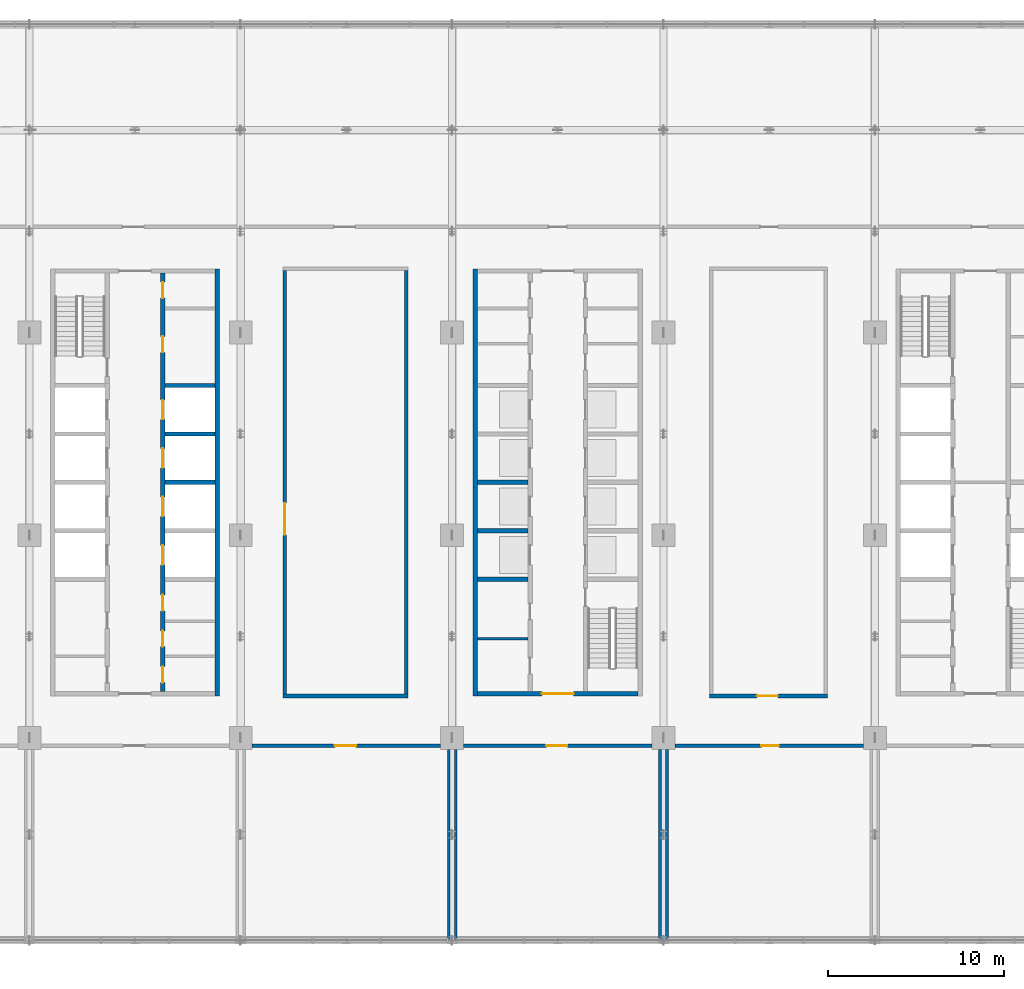
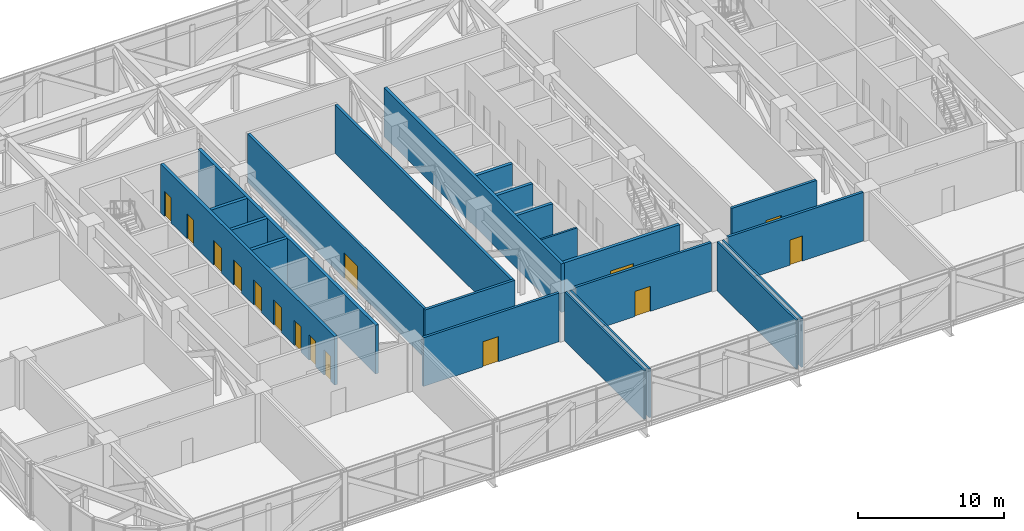
# One storey, part 17 of 30: 22 walls, 15 doors, 15 openings.
"""IFC4 building model written with IfcOpenShell, lengths in metres."""

from ifc_helpers import new_model, si_unit, direction, frame, frame_2d, origin, place, context, subcontext, project, spatial, rectangle, extrude, material, layer, layer_set, type_object, element, fill, save


model = new_model("IFC4")

# Units and contexts
model_context = context("Model", 3, precision=1e-05, world=origin(), true_north=direction((0.0, 1.0)))
body_context = subcontext(model_context, "Body", "Model", "MODEL_VIEW")
ifc_project = project(units=[si_unit("LENGTHUNIT", "METRE"), si_unit("AREAUNIT", "SQUARE_METRE"), si_unit("VOLUMEUNIT", "CUBIC_METRE"), si_unit("PLANEANGLEUNIT", "RADIAN"), si_unit("MASSUNIT", "GRAM", prefix="KILO")], contexts=[model_context])

# Site, building, storey
site_placement = place(None, origin())
site = spatial("IfcSite", under=ifc_project, at=site_placement, CompositionType="ELEMENT")
building_placement = place(site_placement, origin())
building = spatial("IfcBuilding", under=site, at=building_placement, Name="Mahtab Terrace Research Tower", CompositionType="ELEMENT")
storey_placement = place(building_placement, frame((0.0, 0.0, 154.800048828125)))
storey = spatial("IfcBuildingStorey", under=building, at=storey_placement, Name="L36", CompositionType="ELEMENT", Elevation=154.800048828125)

# Walls
ifc_material_1 = material(Name="Gypsum board partition")
ifc_layer_1 = layer(ifc_material_1, 0.14990234375)
ifc_layer_set_1 = layer_set([ifc_layer_1], Name="Core partition 150")
wall_type_1 = type_object("IfcWallType", Name="Core partition 150", PredefinedType="PARTITIONING", material=ifc_layer_set_1)
wall_1_placement = place(storey_placement, frame((-4.550048828125, -5.875, 0.0), z_axis=(0.0, 0.0, 1.0), x_axis=(1.0, 0.0, 0.0)))
element("IfcWall", 1, at=wall_1_placement, inside=storey, type_object=wall_type_1, Name="Core wall B pWS-888", PredefinedType="PARTITIONING", context=body_context, shape_type="SweptSolid", body=[
    extrude(rectangle(XDim=2.85009765625, YDim=0.14990234375, at=frame_2d((1.425048828125, 0.0))), origin(), (0.0, 0.0, 1.0), 4.06005859375),
])
ifc_material_2 = material(Name="Concrete C70/85", Category="concrete")
ifc_layer_2 = layer(ifc_material_2, 0.25)
ifc_layer_set_2 = layer_set([ifc_layer_2], Name="Core wall 250")
wall_type_2 = type_object("IfcWallType", Name="Core wall 250", PredefinedType="SOLIDWALL", material=ifc_layer_set_2)
wall_2_placement = place(storey_placement, frame((-19.324951171875, -9.125, 0.0), z_axis=(0.0, 0.0, 1.0), x_axis=(0.0, 1.0, 0.0)))
element("IfcWall", 2, at=wall_2_placement, inside=storey, type_object=wall_type_2, Name="Core wall A outerE", PredefinedType="SOLIDWALL", context=body_context, shape_type="SweptSolid", body=[
    extrude(rectangle(XDim=24.25, YDim=0.25, at=frame_2d((12.125, 0.0))), origin(), (0.0, 0.0, 1.0), 4.06005859375),
])

# Wall, openings, doors
wall_3_placement = place(storey_placement, frame((-22.425048828125, 14.875, 0.0), z_axis=(0.0, 0.0, 1.0), x_axis=(0.0, -1.0, 0.0)))
wall_3 = element("IfcWall", 3, at=wall_3_placement, inside=storey, type_object=wall_type_2, Name="Core wall A innerESLN", PredefinedType="SOLIDWALL", context=body_context, shape_type="SweptSolid", body=[
    extrude(rectangle(XDim=23.75, YDim=0.25, at=frame_2d((11.875, 0.0))), origin(), (0.0, 0.0, 1.0), 4.06005859375),
])
opening_1_placement = place(wall_3_placement, frame((15.449951171875, 0.0, 0.0)))
opening_1 = element("IfcOpeningElement", 4, at=opening_1_placement, cuts=wall_3, Name="Opening LD05-L36", PredefinedType="OPENING", context=body_context, shape_type="SweptSolid", body=[
    extrude(rectangle(XDim=1.10009765625, YDim=2.10009765625, at=frame_2d((0.550048828125, 1.050048828125))), frame((0.0, 0.135009765625, 0.0), z_axis=(0.0, -1.0, 0.0), x_axis=(1.0, 0.0, 0.0)), (0.0, 0.0, 1.0), 0.27001953125),
])
opening_2_placement = place(wall_3_placement, frame((12.699951171875, 0.0, 0.0)))
opening_2 = element("IfcOpeningElement", 5, at=opening_2_placement, cuts=wall_3, Name="Opening LD06-L36", PredefinedType="OPENING", context=body_context, shape_type="SweptSolid", body=[
    extrude(rectangle(XDim=1.10009765625, YDim=2.10009765625, at=frame_2d((0.550048828125, 1.050048828125))), frame((0.0, 0.135009765625, 0.0), z_axis=(0.0, -1.0, 0.0), x_axis=(1.0, 0.0, 0.0)), (0.0, 0.0, 1.0), 0.27001953125),
])
opening_3_placement = place(wall_3_placement, frame((9.949951171875, 0.0, 0.0)))
opening_3 = element("IfcOpeningElement", 6, at=opening_3_placement, cuts=wall_3, Name="Opening LD07-L36", PredefinedType="OPENING", context=body_context, shape_type="SweptSolid", body=[
    extrude(rectangle(XDim=1.10009765625, YDim=2.10009765625, at=frame_2d((0.550048828125, 1.050048828125))), frame((0.0, 0.135009765625, 0.0), z_axis=(0.0, -1.0, 0.0), x_axis=(1.0, 0.0, 0.0)), (0.0, 0.0, 1.0), 0.27001953125),
])
opening_4_placement = place(wall_3_placement, frame((7.199951171875, 0.0, 0.0)))
opening_4 = element("IfcOpeningElement", 7, at=opening_4_placement, cuts=wall_3, Name="Opening LD08-L36", PredefinedType="OPENING", context=body_context, shape_type="SweptSolid", body=[
    extrude(rectangle(XDim=1.10009765625, YDim=2.10009765625, at=frame_2d((0.550048828125, 1.050048828125))), frame((0.0, 0.135009765625, 0.0), z_axis=(0.0, -1.0, 0.0), x_axis=(1.0, 0.0, 0.0)), (0.0, 0.0, 1.0), 0.27001953125),
])
opening_5_placement = place(wall_3_placement, frame((22.33740234375, 0.0, 0.0)))
opening_5 = element("IfcOpeningElement", 8, at=opening_5_placement, cuts=wall_3, Name="Opening A-R3", PredefinedType="OPENING", context=body_context, shape_type="SweptSolid", body=[
    extrude(rectangle(XDim=0.89990234375, YDim=2.10009765625, at=frame_2d((0.449951171875, 1.050048828125))), frame((0.0, 0.135009765625, 0.0), z_axis=(0.0, -1.0, 0.0), x_axis=(1.0, 0.0, 0.0)), (0.0, 0.0, 1.0), 0.27001953125),
])
opening_6_placement = place(wall_3_placement, frame((20.300048828125, 0.0, 0.0)))
opening_6 = element("IfcOpeningElement", 9, at=opening_6_placement, cuts=wall_3, Name="Opening A-R4", PredefinedType="OPENING", context=body_context, shape_type="SweptSolid", body=[
    extrude(rectangle(XDim=0.89990234375, YDim=2.10009765625, at=frame_2d((0.449951171875, 1.050048828125))), frame((0.0, 0.135009765625, 0.0), z_axis=(0.0, -1.0, 0.0), x_axis=(1.0, 0.0, 0.0)), (0.0, 0.0, 1.0), 0.27001953125),
])
opening_7_placement = place(wall_3_placement, frame((18.262451171875, 0.0, 0.0)))
opening_7 = element("IfcOpeningElement", 10, at=opening_7_placement, cuts=wall_3, Name="Opening A-R5", PredefinedType="OPENING", context=body_context, shape_type="SweptSolid", body=[
    extrude(rectangle(XDim=0.89990234375, YDim=2.10009765625, at=frame_2d((0.449951171875, 1.050048828125))), frame((0.0, 0.135009765625, 0.0), z_axis=(0.0, -1.0, 0.0), x_axis=(1.0, 0.0, 0.0)), (0.0, 0.0, 1.0), 0.27001953125),
])
opening_8_placement = place(wall_3_placement, frame((3.58740234375, 0.0, 0.0)))
opening_8 = element("IfcOpeningElement", 11, at=opening_8_placement, cuts=wall_3, Name="Opening A-R6", PredefinedType="OPENING", context=body_context, shape_type="SweptSolid", body=[
    extrude(rectangle(XDim=0.89990234375, YDim=2.10009765625, at=frame_2d((0.449951171875, 1.050048828125))), frame((0.0, 0.135009765625, 0.0), z_axis=(0.0, -1.0, 0.0), x_axis=(1.0, 0.0, 0.0)), (0.0, 0.0, 1.0), 0.27001953125),
])
opening_9_placement = place(wall_3_placement, frame((0.512451171875, 0.0, 0.0)))
opening_9 = element("IfcOpeningElement", 12, at=opening_9_placement, cuts=wall_3, Name="Opening A-R7", PredefinedType="OPENING", context=body_context, shape_type="SweptSolid", body=[
    extrude(rectangle(XDim=0.89990234375, YDim=2.10009765625, at=frame_2d((0.449951171875, 1.050048828125))), frame((0.0, 0.135009765625, 0.0), z_axis=(0.0, -1.0, 0.0), x_axis=(1.0, 0.0, 0.0)), (0.0, 0.0, 1.0), 0.27001953125),
])
ifc_material_3 = material(Name="Stainless steel AISI 304", Category="steel")
door_type_1 = type_object("IfcDoorType", Name="Landing door 1100x2100", OperationType="DOUBLE_DOOR_SLIDING", PredefinedType="DOOR", material=ifc_material_3)
door_1_placement = place(opening_1_placement, origin())
door_1 = element("IfcDoor", 13, at=door_1_placement, inside=storey, type_object=door_type_1, Name="Landing door LR5 L36", OperationType="DOUBLE_DOOR_SLIDING", OverallHeight=2.10009765625, OverallWidth=1.10009765625, PredefinedType="DOOR", context=body_context, shape_type="SweptSolid", body=[
    extrude(rectangle(XDim=1.10009765625, YDim=2.10009765625, at=frame_2d((0.550048828125, 1.050048828125))), frame((0.0, 0.02490234375, 0.0), z_axis=(0.0, -1.0, 0.0), x_axis=(1.0, 0.0, 0.0)), (0.0, 0.0, 1.0), 0.050048828125),
])
fill(opening_1, door_1)
door_2_placement = place(opening_2_placement, origin())
door_2 = element("IfcDoor", 14, at=door_2_placement, inside=storey, type_object=door_type_1, Name="Landing door LR6 L36", OperationType="DOUBLE_DOOR_SLIDING", OverallHeight=2.10009765625, OverallWidth=1.10009765625, PredefinedType="DOOR", context=body_context, shape_type="SweptSolid", body=[
    extrude(rectangle(XDim=1.10009765625, YDim=2.10009765625, at=frame_2d((0.550048828125, 1.050048828125))), frame((0.0, 0.02490234375, 0.0), z_axis=(0.0, -1.0, 0.0), x_axis=(1.0, 0.0, 0.0)), (0.0, 0.0, 1.0), 0.050048828125),
])
fill(opening_2, door_2)
door_3_placement = place(opening_3_placement, origin())
door_3 = element("IfcDoor", 15, at=door_3_placement, inside=storey, type_object=door_type_1, Name="Landing door SH1 L36", OperationType="DOUBLE_DOOR_SLIDING", OverallHeight=2.10009765625, OverallWidth=1.10009765625, PredefinedType="DOOR", context=body_context, shape_type="SweptSolid", body=[
    extrude(rectangle(XDim=1.10009765625, YDim=2.10009765625, at=frame_2d((0.550048828125, 1.050048828125))), frame((0.0, 0.02490234375, 0.0), z_axis=(0.0, -1.0, 0.0), x_axis=(1.0, 0.0, 0.0)), (0.0, 0.0, 1.0), 0.050048828125),
])
fill(opening_3, door_3)
door_4_placement = place(opening_4_placement, origin())
door_4 = element("IfcDoor", 16, at=door_4_placement, inside=storey, type_object=door_type_1, Name="Landing door SH2 L36", OperationType="DOUBLE_DOOR_SLIDING", OverallHeight=2.10009765625, OverallWidth=1.10009765625, PredefinedType="DOOR", context=body_context, shape_type="SweptSolid", body=[
    extrude(rectangle(XDim=1.10009765625, YDim=2.10009765625, at=frame_2d((0.550048828125, 1.050048828125))), frame((0.0, 0.02490234375, 0.0), z_axis=(0.0, -1.0, 0.0), x_axis=(1.0, 0.0, 0.0)), (0.0, 0.0, 1.0), 0.050048828125),
])
fill(opening_4, door_4)
ifc_material_4 = material(Name="Steel fire door", Category="steel")
door_type_2 = type_object("IfcDoorType", Name="Room door 900x2100 1 HR", OperationType="NOTDEFINED", PredefinedType="DOOR", material=ifc_material_4)
door_5_placement = place(opening_5_placement, origin())
door_5 = element("IfcDoor", 17, at=door_5_placement, inside=storey, type_object=door_type_2, Name="Comms riser room door", OperationType="SINGLE_SWING_LEFT", OverallHeight=2.10009765625, OverallWidth=0.89990234375, PredefinedType="DOOR", context=body_context, shape_type="SweptSolid", body=[
    extrude(rectangle(XDim=0.89990234375, YDim=2.10009765625, at=frame_2d((0.449951171875, 1.050048828125))), frame((0.0, 0.02490234375, 0.0), z_axis=(0.0, -1.0, 0.0), x_axis=(1.0, 0.0, 0.0)), (0.0, 0.0, 1.0), 0.050048828125),
])
fill(opening_5, door_5)
door_6_placement = place(opening_6_placement, origin())
door_6 = element("IfcDoor", 18, at=door_6_placement, inside=storey, type_object=door_type_2, Name="Pantry door", OperationType="SINGLE_SWING_RIGHT", OverallHeight=2.10009765625, OverallWidth=0.89990234375, PredefinedType="DOOR", context=body_context, shape_type="SweptSolid", body=[
    extrude(rectangle(XDim=0.89990234375, YDim=2.10009765625, at=frame_2d((0.449951171875, 1.050048828125))), frame((0.0, 0.02490234375, 0.0), z_axis=(0.0, -1.0, 0.0), x_axis=(1.0, 0.0, 0.0)), (0.0, 0.0, 1.0), 0.050048828125),
])
fill(opening_6, door_6)
door_7_placement = place(opening_7_placement, origin())
door_7 = element("IfcDoor", 19, at=door_7_placement, inside=storey, type_object=door_type_2, Name="Cleaners store door", OperationType="SINGLE_SWING_LEFT", OverallHeight=2.10009765625, OverallWidth=0.89990234375, PredefinedType="DOOR", context=body_context, shape_type="SweptSolid", body=[
    extrude(rectangle(XDim=0.89990234375, YDim=2.10009765625, at=frame_2d((0.449951171875, 1.050048828125))), frame((0.0, 0.02490234375, 0.0), z_axis=(0.0, -1.0, 0.0), x_axis=(1.0, 0.0, 0.0)), (0.0, 0.0, 1.0), 0.050048828125),
])
fill(opening_7, door_7)
door_8_placement = place(opening_8_placement, origin())
door_8 = element("IfcDoor", 20, at=door_8_placement, inside=storey, type_object=door_type_2, Name="IT equipment room door", OperationType="SINGLE_SWING_RIGHT", OverallHeight=2.10009765625, OverallWidth=0.89990234375, PredefinedType="DOOR", context=body_context, shape_type="SweptSolid", body=[
    extrude(rectangle(XDim=0.89990234375, YDim=2.10009765625, at=frame_2d((0.449951171875, 1.050048828125))), frame((0.0, 0.02490234375, 0.0), z_axis=(0.0, -1.0, 0.0), x_axis=(1.0, 0.0, 0.0)), (0.0, 0.0, 1.0), 0.050048828125),
])
fill(opening_8, door_8)
door_9_placement = place(opening_9_placement, origin())
door_9 = element("IfcDoor", 21, at=door_9_placement, inside=storey, type_object=door_type_2, Name="Electrical riser room door", OperationType="SINGLE_SWING_LEFT", OverallHeight=2.10009765625, OverallWidth=0.89990234375, PredefinedType="DOOR", context=body_context, shape_type="SweptSolid", body=[
    extrude(rectangle(XDim=0.89990234375, YDim=2.10009765625, at=frame_2d((0.449951171875, 1.050048828125))), frame((0.0, 0.02490234375, 0.0), z_axis=(0.0, -1.0, 0.0), x_axis=(1.0, 0.0, 0.0)), (0.0, 0.0, 1.0), 0.050048828125),
])
fill(opening_9, door_9)

# Walls
for number, where, z_axis, x_axis, name in (
    (22, (-22.300048828125, 3.0, 0.0), (0.0, 0.0, 1.0), (1.0, 0.0, 0.0), "Core wall A divE2"),
    (23, (-22.300048828125, 5.75, 0.0), (0.0, 0.0, 1.0), (1.0, 0.0, 0.0), "Core wall A divE3"),
    (24, (-22.300048828125, 8.5, 0.0), (0.0, 0.0, 1.0), (1.0, 0.0, 0.0), "Core wall A divE4"),
):
    element("IfcWall", number, at=place(storey_placement, frame(where, z_axis=z_axis, x_axis=x_axis)), inside=storey, type_object=wall_type_2, Name=name, PredefinedType="SOLIDWALL", context=body_context, shape_type="SweptSolid", body=[
        extrude(rectangle(XDim=2.85009765625, YDim=0.25, at=frame_2d((1.425048828125, 0.0))), origin(), (0.0, 0.0, 1.0), 4.06005859375),
    ])
wall_4_placement = place(storey_placement, frame((-4.675048828125, 15.125, 0.0), z_axis=(0.0, 0.0, 1.0), x_axis=(0.0, -1.0, 0.0)))
element("IfcWall", 25, at=wall_4_placement, inside=storey, type_object=wall_type_2, Name="Core wall B outerW", PredefinedType="SOLIDWALL", context=body_context, shape_type="SweptSolid", body=[
    extrude(rectangle(XDim=24.25, YDim=0.25, at=frame_2d((12.125, 0.0))), origin(), (0.0, 0.0, 1.0), 4.06005859375),
])

# Wall, opening, door
wall_5_placement = place(storey_placement, frame((4.550048828125, -9.0, 0.0), z_axis=(0.0, 0.0, 1.0), x_axis=(-1.0, 0.0, 0.0)))
wall_5 = element("IfcWall", 26, at=wall_5_placement, inside=storey, type_object=wall_type_2, Name="Core wall B endS", PredefinedType="SOLIDWALL", context=body_context, shape_type="SweptSolid", body=[
    extrude(rectangle(XDim=9.10009765625, YDim=0.25, at=frame_2d((4.550048828125, 0.0))), origin(), (0.0, 0.0, 1.0), 4.06005859375),
])
opening_10_placement = place(wall_5_placement, frame((3.64990234375, 0.0, 0.0)))
opening_10 = element("IfcOpeningElement", 27, at=opening_10_placement, cuts=wall_5, Name="Opening B-S1", PredefinedType="OPENING", context=body_context, shape_type="SweptSolid", body=[
    extrude(rectangle(XDim=1.800048828125, YDim=2.10009765625, at=frame_2d((0.89990234375, 1.050048828125))), frame((0.0, 0.135009765625, 0.0), z_axis=(0.0, -1.0, 0.0), x_axis=(1.0, 0.0, 0.0)), (0.0, 0.0, 1.0), 0.27001953125),
])
door_type_3 = type_object("IfcDoorType", Name="Lobby double door 1800x2100 1 HR", OperationType="DOUBLE_DOOR_SINGLE_SWING", PredefinedType="DOOR", material=ifc_material_4)
door_10_placement = place(opening_10_placement, origin())
door_10 = element("IfcDoor", 28, at=door_10_placement, inside=storey, type_object=door_type_3, Name="Core entrance door B S", OperationType="DOUBLE_DOOR_SINGLE_SWING", OverallHeight=2.10009765625, OverallWidth=1.800048828125, PredefinedType="DOOR", context=body_context, shape_type="SweptSolid", body=[
    extrude(rectangle(XDim=1.800048828125, YDim=2.10009765625, at=frame_2d((0.89990234375, 1.050048828125))), frame((0.0, 0.02490234375, 0.0), z_axis=(0.0, -1.0, 0.0), x_axis=(1.0, 0.0, 0.0)), (0.0, 0.0, 1.0), 0.050048828125),
])
fill(opening_10, door_10)

# Walls
for number, where, z_axis, x_axis, name in (
    (29, (-4.550048828125, -2.5, 0.0), (0.0, 0.0, 1.0), (1.0, 0.0, 0.0), "Core wall B divW0"),
    (30, (-4.550048828125, 0.25, 0.0), (0.0, 0.0, 1.0), (1.0, 0.0, 0.0), "Core wall B divW1"),
    (31, (-4.550048828125, 3.0, 0.0), (0.0, 0.0, 1.0), (1.0, 0.0, 0.0), "Core wall B divW2"),
):
    element("IfcWall", number, at=place(storey_placement, frame(where, z_axis=z_axis, x_axis=x_axis)), inside=storey, type_object=wall_type_2, Name=name, PredefinedType="SOLIDWALL", context=body_context, shape_type="SweptSolid", body=[
        extrude(rectangle(XDim=2.85009765625, YDim=0.25, at=frame_2d((1.425048828125, 0.0))), origin(), (0.0, 0.0, 1.0), 4.06005859375),
    ])

# Wall, opening, door
ifc_material_5 = material(Name="Gypsum board corridor wall on steel studs", Category="steel")
ifc_layer_3 = layer(ifc_material_5, 0.199951171875)
ifc_layer_set_3 = layer_set([ifc_layer_3], Name="WALL CORRIDOR 200")
wall_type_3 = type_object("IfcWallType", Name="WALL CORRIDOR 200", PredefinedType="PARTITIONING", material=ifc_layer_set_3)
wall_6_placement = place(storey_placement, frame((-17.35009765625, -11.949951171875, 0.0), z_axis=(0.0, 0.0, 1.0), x_axis=(1.0, 0.0, 0.0)))
wall_6 = element("IfcWall", 32, at=wall_6_placement, inside=storey, type_object=wall_type_3, Name="L36-W004", PredefinedType="PARTITIONING", context=body_context, shape_type="SweptSolid", body=[
    extrude(rectangle(XDim=10.7001953125, YDim=0.199951171875, at=frame_2d((5.35009765625, 0.0))), origin(), (0.0, 0.0, 1.0), 4.06005859375),
])
opening_11_placement = place(wall_6_placement, frame((4.699951171875, 0.0, 0.0)))
opening_11 = element("IfcOpeningElement", 33, at=opening_11_placement, cuts=wall_6, Name="Opening L36-104", PredefinedType="OPENING", context=body_context, shape_type="SweptSolid", body=[
    extrude(rectangle(XDim=1.199951171875, YDim=2.10009765625, at=frame_2d((0.60009765625, 1.050048828125))), frame((0.0, 0.10986328125, 0.0), z_axis=(0.0, -1.0, 0.0), x_axis=(1.0, 0.0, 0.0)), (0.0, 0.0, 1.0), 0.219970703125),
])
ifc_material_6 = material(Name="Timber door leaf in steel frame", Category="steel")
door_type_4 = type_object("IfcDoorType", Name="DOOR 1200X2100 FD30S", OperationType="SINGLE_SWING_LEFT", PredefinedType="DOOR", material=ifc_material_6)
door_11_placement = place(opening_11_placement, origin())
door_11 = element("IfcDoor", 34, at=door_11_placement, inside=storey, type_object=door_type_4, Name="Door L36-104", OperationType="SINGLE_SWING_RIGHT", OverallHeight=2.10009765625, OverallWidth=1.199951171875, PredefinedType="DOOR", context=body_context, shape_type="SweptSolid", body=[
    extrude(rectangle(XDim=1.199951171875, YDim=2.10009765625, at=frame_2d((0.60009765625, 1.050048828125))), frame((0.0, 0.02490234375, 0.0), z_axis=(0.0, -1.0, 0.0), x_axis=(1.0, 0.0, 0.0)), (0.0, 0.0, 1.0), 0.050048828125),
])
fill(opening_11, door_11)

wall_7_placement = place(storey_placement, frame((-5.35009765625, -11.949951171875, 0.0), z_axis=(0.0, 0.0, 1.0), x_axis=(1.0, 0.0, 0.0)))
wall_7 = element("IfcWall", 35, at=wall_7_placement, inside=storey, type_object=wall_type_3, Name="L36-W005", PredefinedType="PARTITIONING", context=body_context, shape_type="SweptSolid", body=[
    extrude(rectangle(XDim=10.7001953125, YDim=0.199951171875, at=frame_2d((5.35009765625, 0.0))), origin(), (0.0, 0.0, 1.0), 4.06005859375),
])
opening_12_placement = place(wall_7_placement, frame((4.699951171875, 0.0, 0.0)))
opening_12 = element("IfcOpeningElement", 36, at=opening_12_placement, cuts=wall_7, Name="Opening L36-105", PredefinedType="OPENING", context=body_context, shape_type="SweptSolid", body=[
    extrude(rectangle(XDim=1.199951171875, YDim=2.10009765625, at=frame_2d((0.60009765625, 1.050048828125))), frame((0.0, 0.10986328125, 0.0), z_axis=(0.0, -1.0, 0.0), x_axis=(1.0, 0.0, 0.0)), (0.0, 0.0, 1.0), 0.219970703125),
])
door_12_placement = place(opening_12_placement, origin())
door_12 = element("IfcDoor", 37, at=door_12_placement, inside=storey, type_object=door_type_4, Name="Door L36-105", OperationType="SINGLE_SWING_RIGHT", OverallHeight=2.10009765625, OverallWidth=1.199951171875, PredefinedType="DOOR", context=body_context, shape_type="SweptSolid", body=[
    extrude(rectangle(XDim=1.199951171875, YDim=2.10009765625, at=frame_2d((0.60009765625, 1.050048828125))), frame((0.0, 0.02490234375, 0.0), z_axis=(0.0, -1.0, 0.0), x_axis=(1.0, 0.0, 0.0)), (0.0, 0.0, 1.0), 0.050048828125),
])
fill(opening_12, door_12)

wall_8_placement = place(storey_placement, frame((6.64990234375, -11.949951171875, 0.0), z_axis=(0.0, 0.0, 1.0), x_axis=(1.0, 0.0, 0.0)))
wall_8 = element("IfcWall", 38, at=wall_8_placement, inside=storey, type_object=wall_type_3, Name="L36-W006", PredefinedType="PARTITIONING", context=body_context, shape_type="SweptSolid", body=[
    extrude(rectangle(XDim=10.7001953125, YDim=0.199951171875, at=frame_2d((5.35009765625, 0.0))), origin(), (0.0, 0.0, 1.0), 4.06005859375),
])
opening_13_placement = place(wall_8_placement, frame((4.89990234375, 0.0, 0.0)))
opening_13 = element("IfcOpeningElement", 39, at=opening_13_placement, cuts=wall_8, Name="Opening L36-106", PredefinedType="OPENING", context=body_context, shape_type="SweptSolid", body=[
    extrude(rectangle(XDim=1.0, YDim=2.10009765625, at=frame_2d((0.5, 1.050048828125))), frame((0.0, 0.10986328125, 0.0), z_axis=(0.0, -1.0, 0.0), x_axis=(1.0, 0.0, 0.0)), (0.0, 0.0, 1.0), 0.219970703125),
])
door_type_5 = type_object("IfcDoorType", Name="DOOR 1000X2100 FD30S", OperationType="SINGLE_SWING_LEFT", PredefinedType="DOOR", material=ifc_material_6)
door_13_placement = place(opening_13_placement, origin())
door_13 = element("IfcDoor", 40, at=door_13_placement, inside=storey, type_object=door_type_5, Name="Door L36-106", OperationType="SINGLE_SWING_LEFT", OverallHeight=2.10009765625, OverallWidth=1.0, PredefinedType="DOOR", context=body_context, shape_type="SweptSolid", body=[
    extrude(rectangle(XDim=1.0, YDim=2.10009765625, at=frame_2d((0.5, 1.050048828125))), frame((0.0, 0.02490234375, 0.0), z_axis=(0.0, -1.0, 0.0), x_axis=(1.0, 0.0, 0.0)), (0.0, 0.0, 1.0), 0.050048828125),
])
fill(opening_13, door_13)

# Wall
wall_9_placement = place(storey_placement, frame((-15.60009765625, -9.125, 0.0), z_axis=(0.0, 0.0, 1.0), x_axis=(1.0, 0.0, 0.0)))
element("IfcWall", 41, at=wall_9_placement, inside=storey, type_object=wall_type_3, Name="L36-W012", PredefinedType="PARTITIONING", context=body_context, shape_type="SweptSolid", body=[
    extrude(rectangle(XDim=7.10009765625, YDim=0.199951171875, at=frame_2d((3.550048828125, 0.0))), origin(), (0.0, 0.0, 1.0), 4.06005859375),
])

# Wall, opening, door
wall_10_placement = place(storey_placement, frame((8.60009765625, -9.125, 0.0), z_axis=(0.0, 0.0, 1.0), x_axis=(1.0, 0.0, 0.0)))
wall_10 = element("IfcWall", 42, at=wall_10_placement, inside=storey, type_object=wall_type_3, Name="L36-W013", PredefinedType="PARTITIONING", context=body_context, shape_type="SweptSolid", body=[
    extrude(rectangle(XDim=6.699951171875, YDim=0.199951171875, at=frame_2d((3.35009765625, 0.0))), origin(), (0.0, 0.0, 1.0), 4.06005859375),
])
opening_14_placement = place(wall_10_placement, frame((2.699951171875, 0.0, 0.0)))
opening_14 = element("IfcOpeningElement", 43, at=opening_14_placement, cuts=wall_10, Name="Opening L36-116", PredefinedType="OPENING", context=body_context, shape_type="SweptSolid", body=[
    extrude(rectangle(XDim=1.199951171875, YDim=2.10009765625, at=frame_2d((0.60009765625, 1.050048828125))), frame((0.0, 0.10986328125, 0.0), z_axis=(0.0, -1.0, 0.0), x_axis=(1.0, 0.0, 0.0)), (0.0, 0.0, 1.0), 0.219970703125),
])
door_14_placement = place(opening_14_placement, origin())
door_14 = element("IfcDoor", 44, at=door_14_placement, inside=storey, type_object=door_type_4, Name="Door L36-116", OperationType="SINGLE_SWING_LEFT", OverallHeight=2.10009765625, OverallWidth=1.199951171875, PredefinedType="DOOR", context=body_context, shape_type="SweptSolid", body=[
    extrude(rectangle(XDim=1.199951171875, YDim=2.10009765625, at=frame_2d((0.60009765625, 1.050048828125))), frame((0.0, 0.02490234375, 0.0), z_axis=(0.0, -1.0, 0.0), x_axis=(1.0, 0.0, 0.0)), (0.0, 0.0, 1.0), 0.050048828125),
])
fill(opening_14, door_14)

wall_11_placement = place(storey_placement, frame((-15.5, -9.02490234375, 0.0), z_axis=(0.0, 0.0, 1.0), x_axis=(0.0, 1.0, 0.0)))
wall_11 = element("IfcWall", 45, at=wall_11_placement, inside=storey, type_object=wall_type_3, Name="L36-W043", PredefinedType="PARTITIONING", context=body_context, shape_type="SweptSolid", body=[
    extrude(rectangle(XDim=24.0498046875, YDim=0.199951171875, at=frame_2d((12.02490234375, 0.0))), origin(), (0.0, 0.0, 1.0), 4.06005859375),
])
opening_15_placement = place(wall_11_placement, frame((9.050048828125, 0.0, 0.0)))
opening_15 = element("IfcOpeningElement", 46, at=opening_15_placement, cuts=wall_11, Name="Opening L36-115", PredefinedType="OPENING", context=body_context, shape_type="SweptSolid", body=[
    extrude(rectangle(XDim=1.800048828125, YDim=2.10009765625, at=frame_2d((0.89990234375, 1.050048828125))), frame((0.0, 0.10986328125, 0.0), z_axis=(0.0, -1.0, 0.0), x_axis=(1.0, 0.0, 0.0)), (0.0, 0.0, 1.0), 0.219970703125),
])
door_type_6 = type_object("IfcDoorType", Name="DOOR 1800X2100 FD30S", OperationType="DOUBLE_DOOR_SINGLE_SWING", PredefinedType="DOOR", material=ifc_material_6)
door_15_placement = place(opening_15_placement, origin())
door_15 = element("IfcDoor", 47, at=door_15_placement, inside=storey, type_object=door_type_6, Name="Door L36-115", OperationType="DOUBLE_DOOR_SINGLE_SWING", OverallHeight=2.10009765625, OverallWidth=1.800048828125, PredefinedType="DOOR", context=body_context, shape_type="SweptSolid", body=[
    extrude(rectangle(XDim=1.800048828125, YDim=2.10009765625, at=frame_2d((0.89990234375, 1.050048828125))), frame((0.0, 0.02490234375, 0.0), z_axis=(0.0, -1.0, 0.0), x_axis=(1.0, 0.0, 0.0)), (0.0, 0.0, 1.0), 0.050048828125),
])
fill(opening_15, door_15)

# Walls
wall_12_placement = place(storey_placement, frame((-8.60009765625, -9.02490234375, 0.0), z_axis=(0.0, 0.0, 1.0), x_axis=(0.0, 1.0, 0.0)))
element("IfcWall", 48, at=wall_12_placement, inside=storey, type_object=wall_type_3, Name="L36-W044", PredefinedType="PARTITIONING", context=body_context, shape_type="SweptSolid", body=[
    extrude(rectangle(XDim=24.0498046875, YDim=0.199951171875, at=frame_2d((12.02490234375, 0.0))), origin(), (0.0, 0.0, 1.0), 4.06005859375),
])
ifc_material_7 = material(Name="Gypsum board partition on steel studs", Category="steel")
ifc_layer_4 = layer(ifc_material_7, 0.14990234375)
ifc_layer_set_4 = layer_set([ifc_layer_4], Name="WALL PARTITION 150")
wall_type_4 = type_object("IfcWallType", Name="WALL PARTITION 150", PredefinedType="PARTITIONING", material=ifc_layer_set_4)
for number, where, z_axis, x_axis, name in (
    (49, (-6.199951171875, -22.97509765625, 0.0), (0.0, 0.0, 1.0), (0.0, 1.0, 0.0), "L36-W045"),
    (50, (-5.800048828125, -22.97509765625, 0.0), (0.0, 0.0, 1.0), (0.0, 1.0, 0.0), "L36-W046"),
    (51, (5.800048828125, -22.97509765625, 0.0), (0.0, 0.0, 1.0), (0.0, 1.0, 0.0), "L36-W047"),
    (52, (6.199951171875, -22.97509765625, 0.0), (0.0, 0.0, 1.0), (0.0, 1.0, 0.0), "L36-W048"),
):
    element("IfcWall", number, at=place(storey_placement, frame(where, z_axis=z_axis, x_axis=x_axis)), inside=storey, type_object=wall_type_4, Name=name, PredefinedType="PARTITIONING", context=body_context, shape_type="SweptSolid", body=[
        extrude(rectangle(XDim=10.8251953125, YDim=0.14990234375, at=frame_2d((5.41259765625, 0.0))), origin(), (0.0, 0.0, 1.0), 4.06005859375),
    ])

save(model, "model.ifc")
